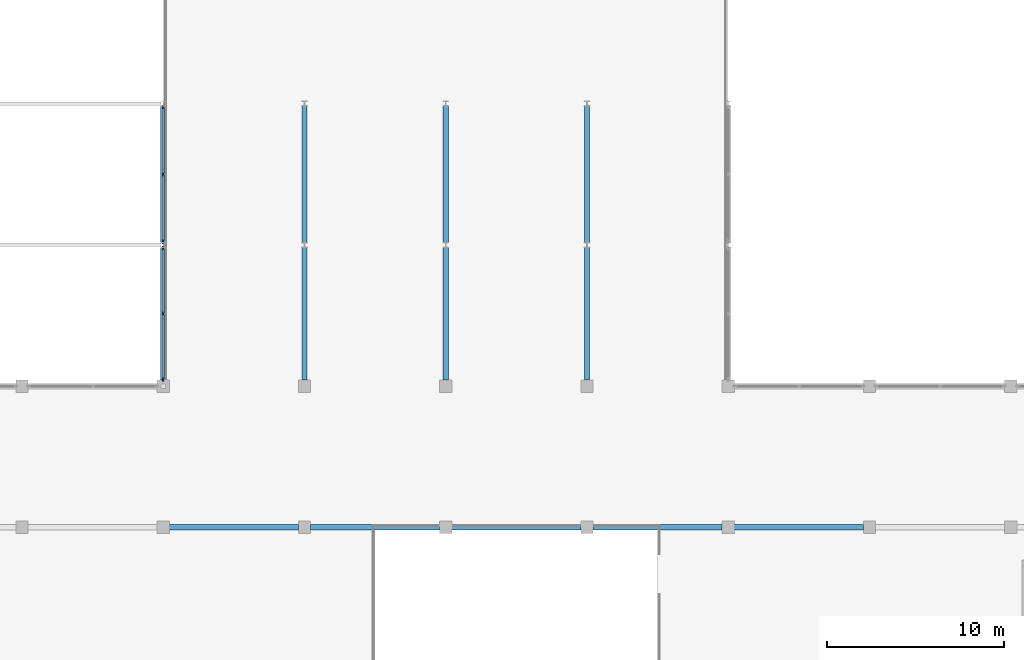
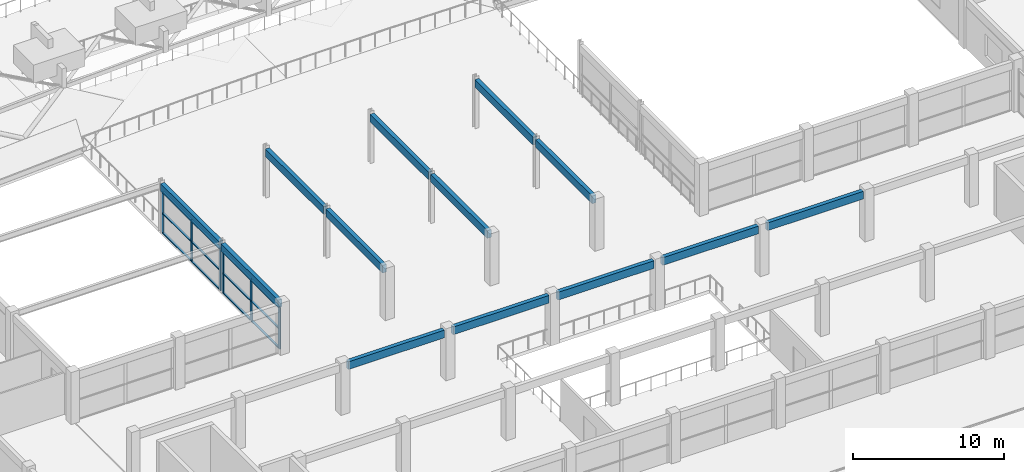
# One storey, part 14 of 67: 18 members, 13 beams, 2 elements without a shape of their own.
"""IFC4 building model written with IfcOpenShell, lengths in metres."""

from ifc_helpers import new_model, si_unit, direction, frame, origin, origin_2d, place, context, subcontext, project, spatial, rectangle, extrude, material, material_profile, profile_set, type_object, element, aggregate, save


model = new_model("IFC4")

# Units and contexts
model_context = context("Model", 3, precision=1e-05, world=origin(), true_north=direction((0.0, 1.0)))
body_context = subcontext(model_context, "Body", "Model", "MODEL_VIEW")
ifc_project = project(units=[si_unit("LENGTHUNIT", "METRE"), si_unit("AREAUNIT", "SQUARE_METRE"), si_unit("VOLUMEUNIT", "CUBIC_METRE"), si_unit("PLANEANGLEUNIT", "RADIAN"), si_unit("MASSUNIT", "GRAM", prefix="KILO")], contexts=[model_context])

# Site, building, storey
site_placement = place(None, origin())
site = spatial("IfcSite", under=ifc_project, at=site_placement, CompositionType="ELEMENT")
building_placement = place(site_placement, origin())
building = spatial("IfcBuilding", under=site, at=building_placement, Name="Kenh Van Central Station", CompositionType="ELEMENT")
storey_placement = place(building_placement, frame((0.0, 0.0, 10.800048828125)))
storey = spatial("IfcBuildingStorey", under=building, at=storey_placement, Name="L02", CompositionType="ELEMENT", Elevation=10.800048828125)

# Curtain wall, members
ifc_material_1 = material(Name="Champagne anodised aluminium", Category="aluminium")
curtain_wall_type = type_object("IfcCurtainWallType", Name="CW-CONC-A", PredefinedType="NOTDEFINED", material=ifc_material_1)
curtain_wall_1_placement = place(storey_placement, origin())
curtain_wall_1 = element("IfcCurtainWall", 1, at=curtain_wall_1_placement, inside=storey, type_object=curtain_wall_type, Name="L02 curtain wall 173", PredefinedType="NOTDEFINED")
ifc_material_profile_1 = material_profile(ifc_material_1, rectangle(XDim=0.0849609375, YDim=0.23193359375, at=origin_2d()), Name="AL 85x232")
ifc_profile_set_1 = profile_set([ifc_material_profile_1], Name="Champagne anodised aluminium")
member_type_1 = type_object("IfcMemberType", Name="CWM-65x160", PredefinedType="MULLION", material=ifc_profile_set_1)
member_1_placement = place(storey_placement, frame((64.0, 55.8076171875, 0.0), z_axis=(0.0, 0.0, 1.0), x_axis=(1.0, 0.0, 0.0)))
member_1 = element("IfcMember", 2, at=member_1_placement, type_object=member_type_1, Name="CW-03 mullion 1", PredefinedType="MULLION", context=body_context, shape_type="SweptSolid", body=[
    extrude(rectangle(XDim=0.0849609375, YDim=0.23193359375, at=origin_2d()), origin(), (0.0, 0.0, 1.0), 3.35986328125),
])
member_2_placement = place(storey_placement, frame((64.0, 52.0, 0.0), z_axis=(0.0, 0.0, 1.0), x_axis=(1.0, 0.0, 0.0)))
member_2 = element("IfcMember", 3, at=member_2_placement, type_object=member_type_1, Name="CW-03 mullion 2", PredefinedType="MULLION", context=body_context, shape_type="SweptSolid", body=[
    extrude(rectangle(XDim=0.0849609375, YDim=0.23193359375, at=origin_2d()), origin(), (0.0, 0.0, 1.0), 3.35986328125),
])
member_3_placement = place(storey_placement, frame((64.0, 48.1923828125, 0.0), z_axis=(0.0, 0.0, 1.0), x_axis=(1.0, 0.0, 0.0)))
member_3 = element("IfcMember", 4, at=member_3_placement, type_object=member_type_1, Name="CW-03 mullion 3", PredefinedType="MULLION", context=body_context, shape_type="SweptSolid", body=[
    extrude(rectangle(XDim=0.0849609375, YDim=0.23193359375, at=origin_2d()), origin(), (0.0, 0.0, 1.0), 3.35986328125),
])

curtain_wall_2_placement = place(storey_placement, origin())
curtain_wall_2 = element("IfcCurtainWall", 5, at=curtain_wall_2_placement, inside=storey, type_object=curtain_wall_type, Name="L02 curtain wall 174", PredefinedType="NOTDEFINED")
member_4_placement = place(storey_placement, frame((64.0, 47.8076171875, 0.0), z_axis=(0.0, 0.0, 1.0), x_axis=(1.0, 0.0, 0.0)))
member_4 = element("IfcMember", 6, at=member_4_placement, type_object=member_type_1, Name="CW-03 mullion 1", PredefinedType="MULLION", context=body_context, shape_type="SweptSolid", body=[
    extrude(rectangle(XDim=0.0849609375, YDim=0.23193359375, at=origin_2d()), origin(), (0.0, 0.0, 1.0), 3.35986328125),
])
member_5_placement = place(storey_placement, frame((64.0, 44.10009765625, 0.0), z_axis=(0.0, 0.0, 1.0), x_axis=(1.0, 0.0, 0.0)))
member_5 = element("IfcMember", 7, at=member_5_placement, type_object=member_type_1, Name="CW-03 mullion 2", PredefinedType="MULLION", context=body_context, shape_type="SweptSolid", body=[
    extrude(rectangle(XDim=0.0849609375, YDim=0.23193359375, at=origin_2d()), origin(), (0.0, 0.0, 1.0), 3.35986328125),
])
member_6_placement = place(storey_placement, frame((64.0, 40.392578125, 0.0), z_axis=(0.0, 0.0, 1.0), x_axis=(1.0, 0.0, 0.0)))
member_6 = element("IfcMember", 8, at=member_6_placement, type_object=member_type_1, Name="CW-03 mullion 3", PredefinedType="MULLION", context=body_context, shape_type="SweptSolid", body=[
    extrude(rectangle(XDim=0.0849609375, YDim=0.23193359375, at=origin_2d()), origin(), (0.0, 0.0, 1.0), 3.35986328125),
])

# Member
ifc_material_profile_2 = material_profile(ifc_material_1, rectangle(XDim=0.155029296875, YDim=0.072021484375, at=origin_2d()), Name="AL 155x72")
ifc_profile_set_2 = profile_set([ifc_material_profile_2], Name="Champagne anodised aluminium")
member_type_2 = type_object("IfcMemberType", Name="CWT-120x60", PredefinedType="USERDEFINED", material=ifc_profile_set_2)
member_7_placement = place(storey_placement, frame((64.0, 55.764892578125, 0.035888671875), z_axis=(0.0, -1.0, 0.0), x_axis=(1.0, 0.0, 0.0)))
member_7 = element("IfcMember", 9, at=member_7_placement, type_object=member_type_2, Name="CW-03 transom 1.1", ObjectType="TRANSOM", PredefinedType="USERDEFINED", context=body_context, shape_type="SweptSolid", body=[
    extrude(rectangle(XDim=0.155029296875, YDim=0.072021484375, at=origin_2d()), origin(), (0.0, 0.0, 1.0), 3.722412109375),
])

member_8_placement = place(storey_placement, frame((64.0, 55.764892578125, 1.61279296875), z_axis=(0.0, -1.0, 0.0), x_axis=(1.0, 0.0, 0.0)))
member_8 = element("IfcMember", 10, at=member_8_placement, type_object=member_type_2, Name="CW-03 transom 1.2", ObjectType="TRANSOM", PredefinedType="USERDEFINED", context=body_context, shape_type="SweptSolid", body=[
    extrude(rectangle(XDim=0.155029296875, YDim=0.072021484375, at=origin_2d()), origin(), (0.0, 0.0, 1.0), 3.722412109375),
])

member_9_placement = place(storey_placement, frame((64.0, 55.764892578125, 3.323974609375), z_axis=(0.0, -1.0, 0.0), x_axis=(1.0, 0.0, 0.0)))
member_9 = element("IfcMember", 11, at=member_9_placement, type_object=member_type_2, Name="CW-03 transom 1.3", ObjectType="TRANSOM", PredefinedType="USERDEFINED", context=body_context, shape_type="SweptSolid", body=[
    extrude(rectangle(XDim=0.155029296875, YDim=0.072021484375, at=origin_2d()), origin(), (0.0, 0.0, 1.0), 3.722412109375),
])

member_10_placement = place(storey_placement, frame((64.0, 51.95751953125, 0.035888671875), z_axis=(0.0, -1.0, 0.0), x_axis=(1.0, 0.0, 0.0)))
member_10 = element("IfcMember", 12, at=member_10_placement, type_object=member_type_2, Name="CW-03 transom 2.1", ObjectType="TRANSOM", PredefinedType="USERDEFINED", context=body_context, shape_type="SweptSolid", body=[
    extrude(rectangle(XDim=0.155029296875, YDim=0.072021484375, at=origin_2d()), origin(), (0.0, 0.0, 1.0), 3.722412109375),
])

member_11_placement = place(storey_placement, frame((64.0, 51.95751953125, 1.61279296875), z_axis=(0.0, -1.0, 0.0), x_axis=(1.0, 0.0, 0.0)))
member_11 = element("IfcMember", 13, at=member_11_placement, type_object=member_type_2, Name="CW-03 transom 2.2", ObjectType="TRANSOM", PredefinedType="USERDEFINED", context=body_context, shape_type="SweptSolid", body=[
    extrude(rectangle(XDim=0.155029296875, YDim=0.072021484375, at=origin_2d()), origin(), (0.0, 0.0, 1.0), 3.722412109375),
])

member_12_placement = place(storey_placement, frame((64.0, 51.95751953125, 3.323974609375), z_axis=(0.0, -1.0, 0.0), x_axis=(1.0, 0.0, 0.0)))
member_12 = element("IfcMember", 14, at=member_12_placement, type_object=member_type_2, Name="CW-03 transom 2.3", ObjectType="TRANSOM", PredefinedType="USERDEFINED", context=body_context, shape_type="SweptSolid", body=[
    extrude(rectangle(XDim=0.155029296875, YDim=0.072021484375, at=origin_2d()), origin(), (0.0, 0.0, 1.0), 3.722412109375),
])

aggregate(curtain_wall_1, [member_1, member_2, member_3, member_7, member_8, member_9, member_10, member_11, member_12])

member_13_placement = place(storey_placement, frame((64.0, 47.764892578125, 0.035888671875), z_axis=(0.0, -1.0, 0.0), x_axis=(1.0, 0.0, 0.0)))
member_13 = element("IfcMember", 15, at=member_13_placement, type_object=member_type_2, Name="CW-03 transom 1.1", ObjectType="TRANSOM", PredefinedType="USERDEFINED", context=body_context, shape_type="SweptSolid", body=[
    extrude(rectangle(XDim=0.155029296875, YDim=0.072021484375, at=origin_2d()), origin(), (0.0, 0.0, 1.0), 3.622314453125),
])

member_14_placement = place(storey_placement, frame((64.0, 47.764892578125, 1.61279296875), z_axis=(0.0, -1.0, 0.0), x_axis=(1.0, 0.0, 0.0)))
member_14 = element("IfcMember", 16, at=member_14_placement, type_object=member_type_2, Name="CW-03 transom 1.2", ObjectType="TRANSOM", PredefinedType="USERDEFINED", context=body_context, shape_type="SweptSolid", body=[
    extrude(rectangle(XDim=0.155029296875, YDim=0.072021484375, at=origin_2d()), origin(), (0.0, 0.0, 1.0), 3.622314453125),
])

member_15_placement = place(storey_placement, frame((64.0, 47.764892578125, 3.323974609375), z_axis=(0.0, -1.0, 0.0), x_axis=(1.0, 0.0, 0.0)))
member_15 = element("IfcMember", 17, at=member_15_placement, type_object=member_type_2, Name="CW-03 transom 1.3", ObjectType="TRANSOM", PredefinedType="USERDEFINED", context=body_context, shape_type="SweptSolid", body=[
    extrude(rectangle(XDim=0.155029296875, YDim=0.072021484375, at=origin_2d()), origin(), (0.0, 0.0, 1.0), 3.622314453125),
])

member_16_placement = place(storey_placement, frame((64.0, 44.0576171875, 0.035888671875), z_axis=(0.0, -1.0, 0.0), x_axis=(1.0, 0.0, 0.0)))
member_16 = element("IfcMember", 18, at=member_16_placement, type_object=member_type_2, Name="CW-03 transom 2.1", ObjectType="TRANSOM", PredefinedType="USERDEFINED", context=body_context, shape_type="SweptSolid", body=[
    extrude(rectangle(XDim=0.155029296875, YDim=0.072021484375, at=origin_2d()), origin(), (0.0, 0.0, 1.0), 3.62255859375),
])

member_17_placement = place(storey_placement, frame((64.0, 44.0576171875, 1.61279296875), z_axis=(0.0, -1.0, 0.0), x_axis=(1.0, 0.0, 0.0)))
member_17 = element("IfcMember", 19, at=member_17_placement, type_object=member_type_2, Name="CW-03 transom 2.2", ObjectType="TRANSOM", PredefinedType="USERDEFINED", context=body_context, shape_type="SweptSolid", body=[
    extrude(rectangle(XDim=0.155029296875, YDim=0.072021484375, at=origin_2d()), origin(), (0.0, 0.0, 1.0), 3.62255859375),
])

member_18_placement = place(storey_placement, frame((64.0, 44.0576171875, 3.323974609375), z_axis=(0.0, -1.0, 0.0), x_axis=(1.0, 0.0, 0.0)))
member_18 = element("IfcMember", 20, at=member_18_placement, type_object=member_type_2, Name="CW-03 transom 2.3", ObjectType="TRANSOM", PredefinedType="USERDEFINED", context=body_context, shape_type="SweptSolid", body=[
    extrude(rectangle(XDim=0.155029296875, YDim=0.072021484375, at=origin_2d()), origin(), (0.0, 0.0, 1.0), 3.62255859375),
])

aggregate(curtain_wall_2, [member_4, member_5, member_6, member_13, member_14, member_15, member_16, member_17, member_18])

# Beams
ifc_material_2 = material(Name="Concrete C35/45", Category="concrete")
ifc_material_profile_3 = material_profile(ifc_material_2, rectangle(XDim=0.300048828125, YDim=0.6201171875, at=origin_2d()), Name="RC 300x620")
ifc_profile_set_3 = profile_set([ifc_material_profile_3], Name="Concrete C35/45")
beam_type = type_object("IfcBeamType", Name="SPD-RC-300x620", PredefinedType="SPANDREL", material=ifc_profile_set_3)
for number, where, z_axis, x_axis, name in (
    (21, (64.340087890625, 32.0, 3.669921875), (1.0, 0.0, 0.0), (0.0, 1.0, 0.0), "L02 beam 0950"),
    (22, (72.340087890625, 32.0, 3.669921875), (1.0, 0.0, 0.0), (0.0, 1.0, 0.0), "L02 beam 0951"),
    (23, (80.340087890625, 32.0, 3.669921875), (1.0, 0.0, 0.0), (0.0, 1.0, 0.0), "L02 beam 0952"),
    (24, (88.340087890625, 32.0, 3.669921875), (1.0, 0.0, 0.0), (0.0, 1.0, 0.0), "L02 beam 0953"),
    (25, (96.340087890625, 32.0, 3.669921875), (1.0, 0.0, 0.0), (0.0, 1.0, 0.0), "L02 beam 0954"),
):
    element("IfcBeam", number, at=place(storey_placement, frame(where, z_axis=z_axis, x_axis=x_axis)), inside=storey, type_object=beam_type, Name=name, PredefinedType="SPANDREL", context=body_context, shape_type="SweptSolid", body=[
        extrude(rectangle(XDim=0.300048828125, YDim=0.6201171875, at=origin_2d()), origin(), (0.0, 0.0, 1.0), 7.31982421875),
    ])
beam_1_placement = place(storey_placement, frame((64.0, 40.340087890625, 3.669921875), z_axis=(0.0, 1.0, 0.0), x_axis=(-1.0, 0.0, 0.0)))
element("IfcBeam", 26, at=beam_1_placement, inside=storey, type_object=beam_type, Name="L02 beam 1020", PredefinedType="SPANDREL", context=body_context, shape_type="SweptSolid", body=[
    extrude(rectangle(XDim=0.300048828125, YDim=0.6201171875, at=origin_2d()), origin(), (0.0, 0.0, 1.0), 7.52001953125),
])
beam_2_placement = place(storey_placement, frame((64.0, 48.139892578125, 3.669921875), z_axis=(0.0, 1.0, 0.0), x_axis=(-1.0, 0.0, 0.0)))
element("IfcBeam", 27, at=beam_2_placement, inside=storey, type_object=beam_type, Name="L02 beam 1021", PredefinedType="SPANDREL", context=body_context, shape_type="SweptSolid", body=[
    extrude(rectangle(XDim=0.300048828125, YDim=0.6201171875, at=origin_2d()), origin(), (0.0, 0.0, 1.0), 7.72021484375),
])
beam_3_placement = place(storey_placement, frame((72.0, 40.340087890625, 3.669921875), z_axis=(0.0, 1.0, 0.0), x_axis=(-1.0, 0.0, 0.0)))
element("IfcBeam", 28, at=beam_3_placement, inside=storey, type_object=beam_type, Name="L02 beam 1022", PredefinedType="SPANDREL", context=body_context, shape_type="SweptSolid", body=[
    extrude(rectangle(XDim=0.300048828125, YDim=0.6201171875, at=origin_2d()), origin(), (0.0, 0.0, 1.0), 7.52001953125),
])
beam_4_placement = place(storey_placement, frame((72.0, 48.139892578125, 3.669921875), z_axis=(0.0, 1.0, 0.0), x_axis=(-1.0, 0.0, 0.0)))
element("IfcBeam", 29, at=beam_4_placement, inside=storey, type_object=beam_type, Name="L02 beam 1023", PredefinedType="SPANDREL", context=body_context, shape_type="SweptSolid", body=[
    extrude(rectangle(XDim=0.300048828125, YDim=0.6201171875, at=origin_2d()), origin(), (0.0, 0.0, 1.0), 7.72021484375),
])
beam_5_placement = place(storey_placement, frame((80.0, 40.340087890625, 3.669921875), z_axis=(0.0, 1.0, 0.0), x_axis=(-1.0, 0.0, 0.0)))
element("IfcBeam", 30, at=beam_5_placement, inside=storey, type_object=beam_type, Name="L02 beam 1024", PredefinedType="SPANDREL", context=body_context, shape_type="SweptSolid", body=[
    extrude(rectangle(XDim=0.300048828125, YDim=0.6201171875, at=origin_2d()), origin(), (0.0, 0.0, 1.0), 7.52001953125),
])
beam_6_placement = place(storey_placement, frame((80.0, 48.139892578125, 3.669921875), z_axis=(0.0, 1.0, 0.0), x_axis=(-1.0, 0.0, 0.0)))
element("IfcBeam", 31, at=beam_6_placement, inside=storey, type_object=beam_type, Name="L02 beam 1025", PredefinedType="SPANDREL", context=body_context, shape_type="SweptSolid", body=[
    extrude(rectangle(XDim=0.300048828125, YDim=0.6201171875, at=origin_2d()), origin(), (0.0, 0.0, 1.0), 7.72021484375),
])
beam_7_placement = place(storey_placement, frame((88.0, 40.340087890625, 3.669921875), z_axis=(0.0, 1.0, 0.0), x_axis=(-1.0, 0.0, 0.0)))
element("IfcBeam", 32, at=beam_7_placement, inside=storey, type_object=beam_type, Name="L02 beam 1026", PredefinedType="SPANDREL", context=body_context, shape_type="SweptSolid", body=[
    extrude(rectangle(XDim=0.300048828125, YDim=0.6201171875, at=origin_2d()), origin(), (0.0, 0.0, 1.0), 7.52001953125),
])
beam_8_placement = place(storey_placement, frame((88.0, 48.139892578125, 3.669921875), z_axis=(0.0, 1.0, 0.0), x_axis=(-1.0, 0.0, 0.0)))
element("IfcBeam", 33, at=beam_8_placement, inside=storey, type_object=beam_type, Name="L02 beam 1027", PredefinedType="SPANDREL", context=body_context, shape_type="SweptSolid", body=[
    extrude(rectangle(XDim=0.300048828125, YDim=0.6201171875, at=origin_2d()), origin(), (0.0, 0.0, 1.0), 7.72021484375),
])

save(model, "model.ifc")
